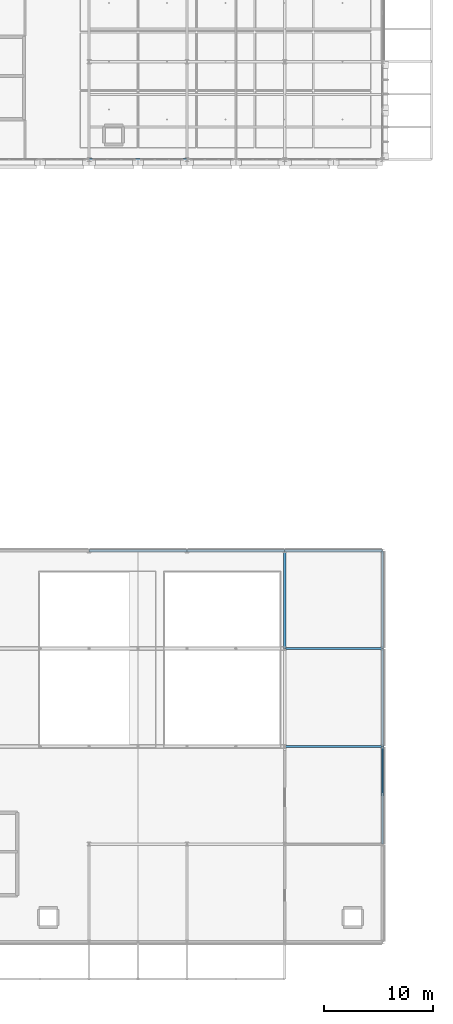
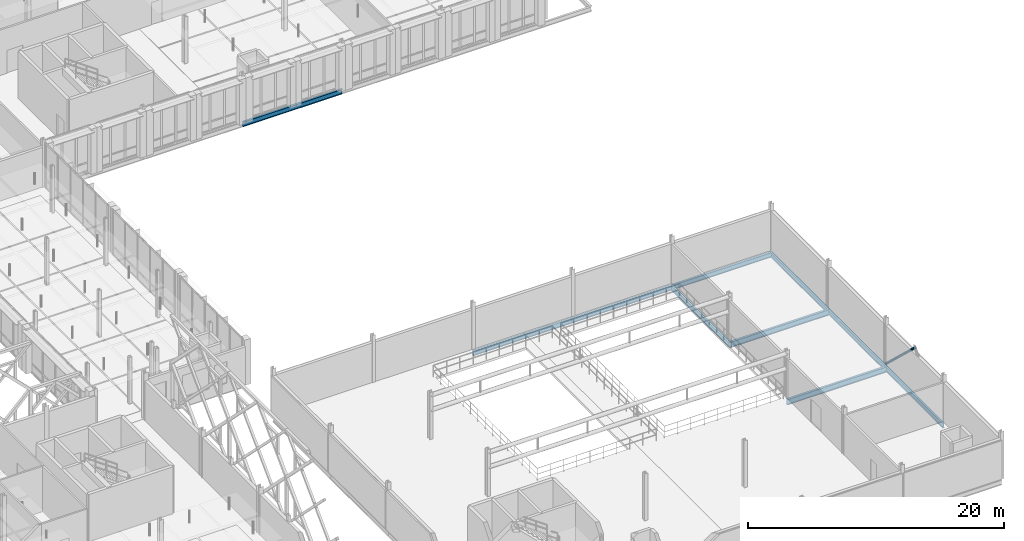
# One storey, part 66 of 140: 10 beams, 1 member.
"""IFC4 building model written with IfcOpenShell, lengths in metres."""

from ifc_helpers import new_model, si_unit, direction, frame, origin, origin_2d, place, context, subcontext, project, spatial, hollow_circle, i_section, extrude, material, material_profile, profile_set, type_object, element, save


model = new_model("IFC4")

# Units and contexts
model_context = context("Model", 3, precision=1e-05, world=origin(), true_north=direction((0.0, 1.0)))
body_context = subcontext(model_context, "Body", "Model", "MODEL_VIEW")
ifc_project = project(units=[si_unit("LENGTHUNIT", "METRE"), si_unit("AREAUNIT", "SQUARE_METRE"), si_unit("VOLUMEUNIT", "CUBIC_METRE"), si_unit("PLANEANGLEUNIT", "RADIAN"), si_unit("MASSUNIT", "GRAM", prefix="KILO"), si_unit("THERMODYNAMICTEMPERATUREUNIT", "KELVIN"), si_unit("POWERUNIT", "WATT")], contexts=[model_context])

# Site, building, storey
site_placement = place(None, origin())
site = spatial("IfcSite", under=ifc_project, at=site_placement, CompositionType="ELEMENT")
building_placement = place(site_placement, origin())
building = spatial("IfcBuilding", under=site, at=building_placement, Name="Tallowbark Science Centre", CompositionType="ELEMENT")
storey_placement = place(building_placement, frame((0.0, 0.0, 9.89990234375)))
storey = spatial("IfcBuildingStorey", under=building, at=storey_placement, Name="L02", CompositionType="ELEMENT", Elevation=9.89990234375)

# Beams
ifc_material_1 = material(Name="Structural Steel Grade 300PLUS (300 MPa)", Category="steel")
ifc_material_profile_1 = material_profile(ifc_material_1, i_section(OverallWidth=0.208984375, OverallDepth=0.532958984375, WebThickness=0.01025390625, FlangeThickness=0.015625, FilletRadius=0.013916015625, at=origin_2d()), Name="530UB92.4")
ifc_profile_set_1 = profile_set([ifc_material_profile_1], Name="Structural Steel Grade 300PLUS (300 MPa)")
beam_type_1 = type_object("IfcBeamType", Name="BM-UB530A", PredefinedType="BEAM", material=ifc_profile_set_1)
for number, where, z_axis, x_axis, name in (
    (1, (148.5, 18.0, -0.511474609375), (1.0, 0.0, 0.0), (0.0, 1.0, 0.0), "Primary Girder GRDX-L02-1485-1575-180"),
    (2, (148.5, 27.0, -0.511474609375), (1.0, 0.0, 0.0), (0.0, 1.0, 0.0), "Primary Girder GRDX-L02-1485-1575-270"),
):
    element("IfcBeam", number, at=place(storey_placement, frame(where, z_axis=z_axis, x_axis=x_axis)), inside=storey, type_object=beam_type_1, Name=name, PredefinedType="BEAM", context=body_context, shape_type="SweptSolid", body=[
        extrude(i_section(OverallWidth=0.208984375, OverallDepth=0.532958984375, WebThickness=0.01025390625, FlangeThickness=0.015625, FilletRadius=0.013916015625, at=origin_2d()), origin(), (0.0, 0.0, 1.0), 9.0),
    ])

# Member
ifc_material_2 = material(Name="Structural Steel Grade C350L0 (350 MPa)", Category="steel")
ifc_material_profile_2 = material_profile(ifc_material_2, hollow_circle(Radius=0.109619140625, WallThickness=0.00830078125, at=origin_2d()), Name="219.1x8.2CHS")
ifc_profile_set_2 = profile_set([ifc_material_profile_2], Name="Structural Steel Grade C350L0 (350 MPa)")
member_type = type_object("IfcMemberType", Name="CBF-219CHS", PredefinedType="BRACE", material=ifc_profile_set_2)
member_placement = place(storey_placement, frame((157.5, 18.0, 0.0), z_axis=(0.0, -0.72701315255, 0.686623532964), x_axis=(1.0, 0.0, 0.0)))
element("IfcMember", 3, at=member_placement, inside=storey, type_object=member_type, Name="Concentric Chevron Brace CBF-THT-E1 L02 Right", PredefinedType="BRACE", context=body_context, shape_type="SweptSolid", body=[
    extrude(hollow_circle(Radius=0.109619140625, WallThickness=0.00830078125, at=origin_2d()), origin(), (0.0, 0.0, 1.0), 6.189697265625),
])

# Beams
ifc_material_profile_3 = material_profile(ifc_material_1, i_section(OverallWidth=0.18994140625, OverallDepth=0.453857421875, WebThickness=0.008544921875, FlangeThickness=0.0126953125, FilletRadius=0.011474609375, at=origin_2d()), Name="460UB67.1")
ifc_profile_set_3 = profile_set([ifc_material_profile_3], Name="Structural Steel Grade 300PLUS (300 MPa)")
beam_type_2 = type_object("IfcBeamType", Name="SPN-UB460", PredefinedType="SPANDREL", material=ifc_profile_set_3)
for number, where, z_axis, x_axis, name in (
    (4, (130.5, 36.0, -0.471923828125), (1.0, 0.0, 0.0), (0.0, 1.0, 0.0), "Primary Girder GRDX-L02-1305-1395-360"),
    (5, (139.5, 36.0, -0.471923828125), (1.0, 0.0, 0.0), (0.0, 1.0, 0.0), "Primary Girder GRDX-L02-1395-1485-360"),
    (6, (148.5, 36.0, -0.471923828125), (1.0, 0.0, 0.0), (0.0, 1.0, 0.0), "Primary Girder GRDX-L02-1485-1575-360"),
    (7, (130.5, 72.0, -0.40673828125), (1.0, 0.0, 0.0), (0.0, 1.0, 0.0), "Primary Girder GRDX-L02-1305-1395-720"),
    (8, (148.5, 27.0, -0.471923828125), (0.0, 1.0, 0.0), (-1.0, 0.0, 0.0), "Primary Girder GRDY-L02-1485-270-360"),
    (9, (157.5, 9.0, -0.471923828125), (0.0, 1.0, 0.0), (-1.0, 0.0, 0.0), "Primary Girder GRDY-L02-1575-90-180"),
    (10, (157.5, 18.0, -0.471923828125), (0.0, 1.0, 0.0), (-1.0, 0.0, 0.0), "Primary Girder GRDY-L02-1575-180-270"),
    (11, (157.5, 27.0, -0.471923828125), (0.0, 1.0, 0.0), (-1.0, 0.0, 0.0), "Primary Girder GRDY-L02-1575-270-360"),
):
    element("IfcBeam", number, at=place(storey_placement, frame(where, z_axis=z_axis, x_axis=x_axis)), inside=storey, type_object=beam_type_2, Name=name, PredefinedType="SPANDREL", context=body_context, shape_type="SweptSolid", body=[
        extrude(i_section(OverallWidth=0.18994140625, OverallDepth=0.453857421875, WebThickness=0.008544921875, FlangeThickness=0.0126953125, FilletRadius=0.011474609375, at=origin_2d()), origin(), (0.0, 0.0, 1.0), 9.0),
    ])

save(model, "model.ifc")
